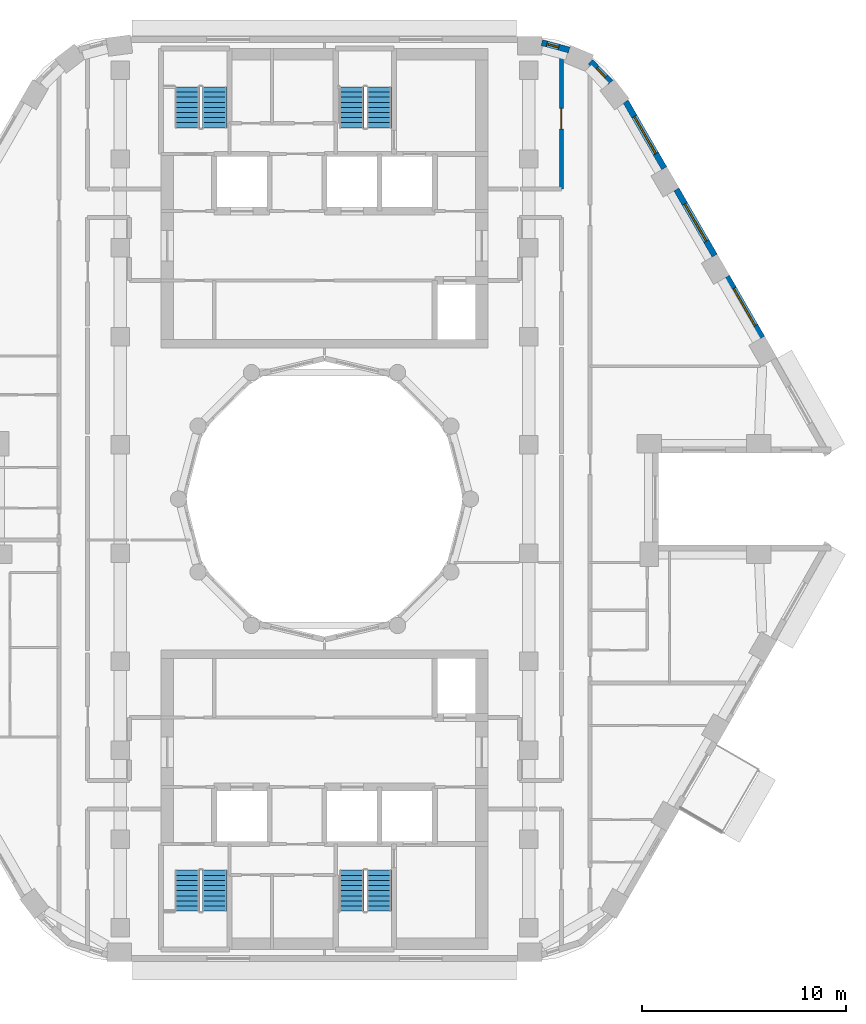
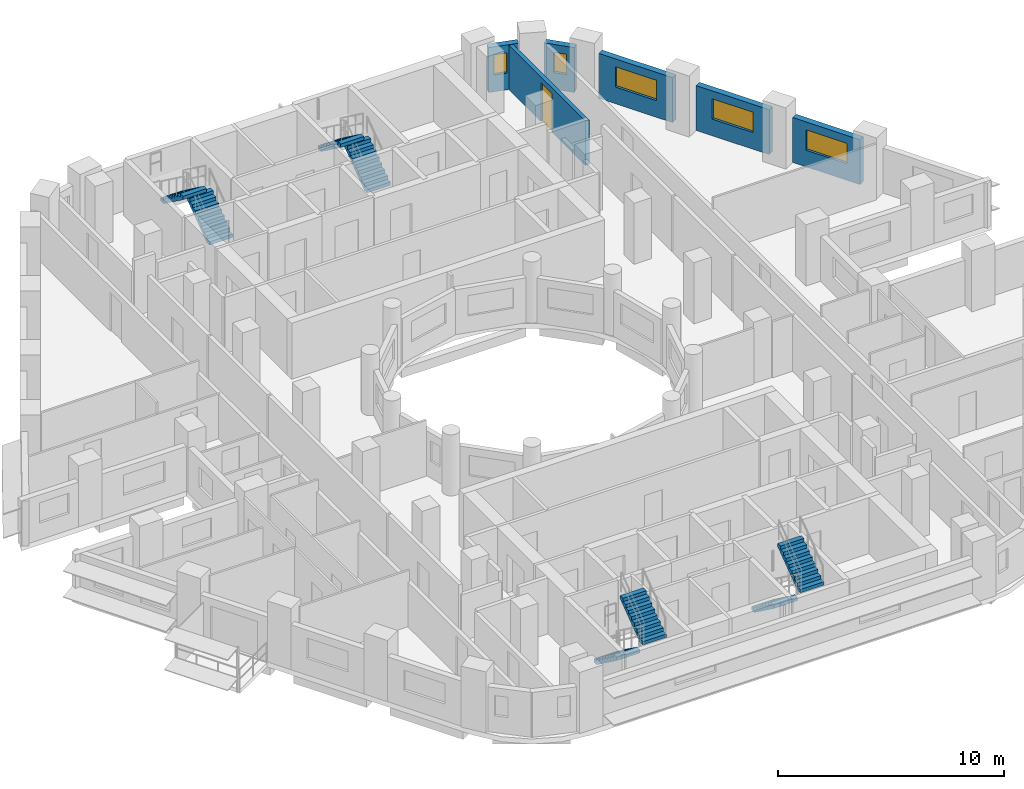
# One storey, part 9 of 15: 8 stair flights, 6 walls, 5 windows, 1 door, 6 openings, 4 elements without a shape of their own.
"""IFC4 building model written with IfcOpenShell, lengths in metres."""

from ifc_helpers import new_model, si_unit, direction, frame, frame_2d, origin, place, context, subcontext, project, spatial, polyline, rectangle, outline, extrude, material, layer, layer_set, type_object, element, fill, aggregate, save


model = new_model("IFC4")

# Units and contexts
model_context = context("Model", 3, precision=1e-05, world=origin(), true_north=direction((0.0, 1.0)))
body_context = subcontext(model_context, "Body", "Model", "MODEL_VIEW")
ifc_project = project(units=[si_unit("LENGTHUNIT", "METRE"), si_unit("AREAUNIT", "SQUARE_METRE"), si_unit("VOLUMEUNIT", "CUBIC_METRE"), si_unit("PLANEANGLEUNIT", "RADIAN"), si_unit("MASSUNIT", "GRAM", prefix="KILO")], contexts=[model_context])

# Site, building, storey
site_placement = place(None, origin())
site = spatial("IfcSite", under=ifc_project, at=site_placement, CompositionType="ELEMENT")
building_placement = place(site_placement, origin())
building = spatial("IfcBuilding", under=site, at=building_placement, Name="Nakaniwa Court", CompositionType="ELEMENT")
storey_placement = place(building_placement, frame((0.0, 0.0, 213.0)))
storey = spatial("IfcBuildingStorey", under=building, at=storey_placement, Name="L56", CompositionType="ELEMENT", Elevation=213.0)

# Wall, opening, door
ifc_material_1 = material(Name="Acoustic double stud partition")
ifc_layer_1 = layer(ifc_material_1, 0.199951171875)
ifc_layer_set_1 = layer_set([ifc_layer_1], Name="Acoustic double stud partition")
wall_type_1 = type_object("IfcWallType", Name="Acoustic double stud partition 200", PredefinedType="PARTITIONING", material=ifc_layer_set_1)
wall_1_placement = place(storey_placement, frame((91.60009765625, 95.175048828125, 0.0), z_axis=(0.0, 0.0, 1.0), x_axis=(0.0, 1.0, 0.0)))
wall_1 = element("IfcWall", 1, at=wall_1_placement, inside=storey, type_object=wall_type_1, Name="Partition PW-070", PredefinedType="PARTITIONING", context=body_context, shape_type="SweptSolid", body=[
    extrude(rectangle(XDim=6.898681640625, YDim=0.199951171875, at=frame_2d((3.44921875, 0.0))), origin(), (0.0, 0.0, 1.0), 2.405029296875),
])
opening_1_placement = place(wall_1_placement, frame((2.949951171875, 0.0, 0.0)))
opening_1 = element("IfcOpeningElement", 2, at=opening_1_placement, cuts=wall_1, Name="Opening D-02-09", PredefinedType="OPENING", context=body_context, shape_type="SweptSolid", body=[
    extrude(rectangle(XDim=1.0, YDim=2.10009765625, at=frame_2d((0.5, 1.050048828125))), frame((0.0, 0.10986328125, 0.0), z_axis=(0.0, -1.0, 0.0), x_axis=(1.0, 0.0, 0.0)), (0.0, 0.0, 1.0), 0.219970703125),
])
ifc_material_2 = material(Name="Solid core timber door set, black veneer", Category="wood")
door_type = type_object("IfcDoorType", Name="Internal door 1000", OperationType="NOTDEFINED", PredefinedType="DOOR", material=ifc_material_2)
door_placement = place(opening_1_placement, origin())
door = element("IfcDoor", 3, at=door_placement, inside=storey, type_object=door_type, Name="Door D-02-09 L56-048", OperationType="SINGLE_SWING_LEFT", OverallHeight=2.10009765625, OverallWidth=1.0, PredefinedType="DOOR", context=body_context, shape_type="SweptSolid", body=[
    extrude(rectangle(XDim=1.0, YDim=2.10009765625, at=frame_2d((0.5, 1.050048828125))), frame((0.0, 0.02490234375, 0.0), z_axis=(0.0, -1.0, 0.0), x_axis=(1.0, 0.0, 0.0)), (0.0, 0.0, 1.0), 0.050048828125),
])
fill(opening_1, door)

# Wall, opening, window
ifc_material_3 = material(Name="Charcoal ceramic cladding")
ifc_layer_2 = layer(ifc_material_3, 0.02, Name="Ceramic cladding")
ifc_material_4 = material(Name="Ventilated air cavity")
ifc_layer_3 = layer(ifc_material_4, 0.04, ventilated=True, Name="Ventilated cavity")
ifc_material_5 = material(Name="Mineral wool insulation")
ifc_layer_4 = layer(ifc_material_5, 0.1, Name="Insulation")
ifc_material_6 = material(Name="Cement bonded sheathing board")
ifc_layer_5 = layer(ifc_material_6, 0.012, Name="Sheathing")
ifc_material_7 = material(Name="Cold-formed galvanised stud frame with mineral wool infill")
ifc_layer_6 = layer(ifc_material_7, 0.1, Name="Stud frame")
ifc_material_8 = material(Name="Fire-rated gypsum plasterboard lining")
ifc_layer_7 = layer(ifc_material_8, 0.028, Name="Lining")
ifc_layer_set_2 = layer_set([ifc_layer_2, ifc_layer_3, ifc_layer_4, ifc_layer_5, ifc_layer_6, ifc_layer_7], Name="Charcoal ceramic faced external wall system")
wall_type_2 = type_object("IfcWallType", Name="Black ceramic faced external wall 300", PredefinedType="SOLIDWALL", material=ifc_layer_set_2)
wall_2_placement = place(storey_placement, frame((101.420654296875, 87.898193359375, 0.0), z_axis=(0.0, 0.0, 1.0), x_axis=(-0.499955427682, 0.866051136095, 0.0)))
wall_2 = element("IfcWall", 4, at=wall_2_placement, inside=storey, type_object=wall_type_2, Name="L56 external wall 03", PredefinedType="SOLIDWALL", context=body_context, shape_type="SweptSolid", body=[
    extrude(rectangle(XDim=3.447021484375, YDim=0.300048828125, at=frame_2d((1.7236328125, 0.0))), origin(), (0.0, 0.0, 1.0), 2.425048828125),
])
opening_2_placement = place(wall_2_placement, frame((0.673583984375, 0.0, 0.89990234375)))
opening_2 = element("IfcOpeningElement", 5, at=opening_2_placement, cuts=wall_2, Name="Opening W7.04", PredefinedType="OPENING", context=body_context, shape_type="SweptSolid", body=[
    extrude(rectangle(XDim=2.10009765625, YDim=1.10009765625, at=frame_2d((1.050048828125, 0.550048828125))), frame((0.0, 0.159912109375, 0.0), z_axis=(0.0, -1.0, 0.0), x_axis=(1.0, 0.0, 0.0)), (0.0, 0.0, 1.0), 0.320068359375),
])
ifc_material_9 = material(Name="Black anodised aluminium frame with dark low-E laminated double glazing", Category="aluminium")
window_type_1 = type_object("IfcWindowType", Name="Dark glass window 2100x1100 sill 900", PartitioningType="SINGLE_PANEL", PredefinedType="WINDOW", material=ifc_material_9)
window_1_placement = place(opening_2_placement, origin())
window_1 = element("IfcWindow", 6, at=window_1_placement, inside=storey, type_object=window_type_1, Name="L56 habitable room window 03-0", OverallHeight=1.10009765625, OverallWidth=2.10009765625, PartitioningType="SINGLE_PANEL", PredefinedType="WINDOW", context=body_context, shape_type="SweptSolid", body=[
    extrude(rectangle(XDim=2.10009765625, YDim=1.10009765625, at=frame_2d((1.050048828125, 0.550048828125))), frame((0.0, 0.030029296875, 0.0), z_axis=(0.0, -1.0, 0.0), x_axis=(1.0, 0.0, 0.0)), (0.0, 0.0, 1.0), 0.06005859375),
])
fill(opening_2, window_1)

wall_3_placement = place(storey_placement, frame((99.101318359375, 91.916015625, 0.0), z_axis=(0.0, 0.0, 1.0), x_axis=(-0.500059225181, 0.86599120741, 0.0)))
wall_3 = element("IfcWall", 7, at=wall_3_placement, inside=storey, type_object=wall_type_2, Name="L56 external wall 04", PredefinedType="SOLIDWALL", context=body_context, shape_type="SweptSolid", body=[
    extrude(rectangle(XDim=3.744140625, YDim=0.300048828125, at=frame_2d((1.8720703125, 0.0))), origin(), (0.0, 0.0, 1.0), 2.425048828125),
])
opening_3_placement = place(wall_3_placement, frame((0.822265625, 0.0, 0.89990234375)))
opening_3 = element("IfcOpeningElement", 8, at=opening_3_placement, cuts=wall_3, Name="Opening W7.05", PredefinedType="OPENING", context=body_context, shape_type="SweptSolid", body=[
    extrude(rectangle(XDim=2.10009765625, YDim=1.10009765625, at=frame_2d((1.050048828125, 0.550048828125))), frame((0.0, 0.159912109375, 0.0), z_axis=(0.0, -1.0, 0.0), x_axis=(1.0, 0.0, 0.0)), (0.0, 0.0, 1.0), 0.320068359375),
])
window_2_placement = place(opening_3_placement, origin())
window_2 = element("IfcWindow", 9, at=window_2_placement, inside=storey, type_object=window_type_1, Name="L56 habitable room window 04-0", OverallHeight=1.10009765625, OverallWidth=2.10009765625, PartitioningType="SINGLE_PANEL", PredefinedType="WINDOW", context=body_context, shape_type="SweptSolid", body=[
    extrude(rectangle(XDim=2.10009765625, YDim=1.10009765625, at=frame_2d((1.050048828125, 0.550048828125))), frame((0.0, 0.030029296875, 0.0), z_axis=(0.0, -1.0, 0.0), x_axis=(1.0, 0.0, 0.0)), (0.0, 0.0, 1.0), 0.06005859375),
])
fill(opening_3, window_2)

wall_4_placement = place(storey_placement, frame((96.633056640625, 96.190673828125, 0.0), z_axis=(0.0, 0.0, 1.0), x_axis=(-0.499961087031, 0.866047869032, 0.0)))
wall_4 = element("IfcWall", 10, at=wall_4_placement, inside=storey, type_object=wall_type_2, Name="L56 external wall 05", PredefinedType="SOLIDWALL", context=body_context, shape_type="SweptSolid", body=[
    extrude(rectangle(XDim=3.778564453125, YDim=0.300048828125, at=frame_2d((1.88916015625, 0.0))), origin(), (0.0, 0.0, 1.0), 2.425048828125),
])
opening_4_placement = place(wall_4_placement, frame((0.827880859375, 0.0, 0.89990234375)))
opening_4 = element("IfcOpeningElement", 11, at=opening_4_placement, cuts=wall_4, Name="Opening W7.06", PredefinedType="OPENING", context=body_context, shape_type="SweptSolid", body=[
    extrude(rectangle(XDim=2.10009765625, YDim=1.10009765625, at=frame_2d((1.050048828125, 0.550048828125))), frame((0.0, 0.159912109375, 0.0), z_axis=(0.0, -1.0, 0.0), x_axis=(1.0, 0.0, 0.0)), (0.0, 0.0, 1.0), 0.320068359375),
])
window_3_placement = place(opening_4_placement, origin())
window_3 = element("IfcWindow", 12, at=window_3_placement, inside=storey, type_object=window_type_1, Name="L56 habitable room window 05-0", OverallHeight=1.10009765625, OverallWidth=2.10009765625, PartitioningType="SINGLE_PANEL", PredefinedType="WINDOW", context=body_context, shape_type="SweptSolid", body=[
    extrude(rectangle(XDim=2.10009765625, YDim=1.10009765625, at=frame_2d((1.050048828125, 0.550048828125))), frame((0.0, 0.030029296875, 0.0), z_axis=(0.0, -1.0, 0.0), x_axis=(1.0, 0.0, 0.0)), (0.0, 0.0, 1.0), 0.06005859375),
])
fill(opening_4, window_3)

wall_5_placement = place(storey_placement, frame((94.009033203125, 100.40185546875, 0.0), z_axis=(0.0, 0.0, 1.0), x_axis=(-0.69817596362, 0.715926199984, 0.0)))
wall_5 = element("IfcWall", 13, at=wall_5_placement, inside=storey, type_object=wall_type_2, Name="L56 external wall 06", PredefinedType="SOLIDWALL", context=body_context, shape_type="SweptSolid", body=[
    extrude(rectangle(XDim=1.40283203125, YDim=0.300048828125, at=frame_2d((0.701416015625, 0.0))), origin(), (0.0, 0.0, 1.0), 2.425048828125),
])
opening_5_placement = place(wall_5_placement, frame((0.35986328125, 0.0, 0.89990234375)))
opening_5 = element("IfcOpeningElement", 14, at=opening_5_placement, cuts=wall_5, Name="Opening W8.07", PredefinedType="OPENING", context=body_context, shape_type="SweptSolid", body=[
    extrude(rectangle(XDim=0.60009765625, YDim=1.10009765625, at=frame_2d((0.300048828125, 0.550048828125))), frame((0.0, 0.159912109375, 0.0), z_axis=(0.0, -1.0, 0.0), x_axis=(1.0, 0.0, 0.0)), (0.0, 0.0, 1.0), 0.320068359375),
])
window_type_2 = type_object("IfcWindowType", Name="Dark glass window 600x1100 sill 900", PartitioningType="SINGLE_PANEL", PredefinedType="WINDOW", material=ifc_material_9)
window_4_placement = place(opening_5_placement, origin())
window_4 = element("IfcWindow", 15, at=window_4_placement, inside=storey, type_object=window_type_2, Name="L56 habitable room window 06-0", OverallHeight=1.10009765625, OverallWidth=0.60009765625, PartitioningType="SINGLE_PANEL", PredefinedType="WINDOW", context=body_context, shape_type="SweptSolid", body=[
    extrude(rectangle(XDim=0.60009765625, YDim=1.10009765625, at=frame_2d((0.300048828125, 0.550048828125))), frame((0.0, 0.030029296875, 0.0), z_axis=(0.0, -1.0, 0.0), x_axis=(1.0, 0.0, 0.0)), (0.0, 0.0, 1.0), 0.06005859375),
])
fill(opening_5, window_4)

wall_6_placement = place(storey_placement, frame((91.977294921875, 101.981201171875, 0.0), z_axis=(0.0, 0.0, 1.0), x_axis=(-0.965315341278, 0.261086751661, 0.0)))
wall_6 = element("IfcWall", 16, at=wall_6_placement, inside=storey, type_object=wall_type_2, Name="L56 external wall 07", PredefinedType="SOLIDWALL", context=body_context, shape_type="SweptSolid", body=[
    extrude(rectangle(XDim=1.384033203125, YDim=0.300048828125, at=frame_2d((0.69189453125, 0.0))), origin(), (0.0, 0.0, 1.0), 2.425048828125),
])
opening_6_placement = place(wall_6_placement, frame((0.529296875, 0.0, 0.89990234375)))
opening_6 = element("IfcOpeningElement", 17, at=opening_6_placement, cuts=wall_6, Name="Opening W8.08", PredefinedType="OPENING", context=body_context, shape_type="SweptSolid", body=[
    extrude(rectangle(XDim=0.60009765625, YDim=1.10009765625, at=frame_2d((0.300048828125, 0.550048828125))), frame((0.0, 0.159912109375, 0.0), z_axis=(0.0, -1.0, 0.0), x_axis=(1.0, 0.0, 0.0)), (0.0, 0.0, 1.0), 0.320068359375),
])
window_5_placement = place(opening_6_placement, origin())
window_5 = element("IfcWindow", 18, at=window_5_placement, inside=storey, type_object=window_type_2, Name="L56 habitable room window 07-1", OverallHeight=1.10009765625, OverallWidth=0.60009765625, PartitioningType="SINGLE_PANEL", PredefinedType="WINDOW", context=body_context, shape_type="SweptSolid", body=[
    extrude(rectangle(XDim=0.60009765625, YDim=1.10009765625, at=frame_2d((0.300048828125, 0.550048828125))), frame((0.0, 0.030029296875, 0.0), z_axis=(0.0, -1.0, 0.0), x_axis=(1.0, 0.0, 0.0)), (0.0, 0.0, 1.0), 0.06005859375),
])
fill(opening_6, window_5)

# Stair, stair flights
ifc_material_10 = material(Name="Concrete C80/100", Category="concrete")
stair_type = type_object("IfcStairType", Name="Dog leg stair 1200 wide 18 risers", PredefinedType="HALF_TURN_STAIR", material=ifc_material_10)
stair_1_placement = place(storey_placement, origin())
stair_1 = element("IfcStair", 19, at=stair_1_placement, inside=storey, type_object=stair_type, Name="L56 Stair ST1", PredefinedType="HALF_TURN_STAIR")
stair_flight_type = type_object("IfcStairFlightType", Name="Stair flight 1200 wide 9 risers", PredefinedType="STRAIGHT", material=ifc_material_10)
stair_flight_1_placement = place(storey_placement, frame((74.625, 98.175048828125, 0.0), z_axis=(0.0, 0.0, 1.0), x_axis=(0.0, 1.0, 0.0)))
stair_flight_1 = element("IfcStairFlight", 20, at=stair_flight_1_placement, type_object=stair_flight_type, Name="ST1 flight 1", NumberOfRisers=9, NumberOfTreads=8, PredefinedType="STRAIGHT", RiserHeight=0.183333333, TreadLength=0.25, context=body_context, shape_type="SweptSolid", body=[
    extrude(outline(polyline([(0.0, 0.0), (0.0, 0.026123046875), (0.0, 0.052490234375), (0.0, 0.07861328125), (0.0, 0.104736328125), (0.0, 0.130859375), (0.0, 0.1572265625), (0.0, 0.183349609375), (0.25, 0.183349609375), (0.25, 0.36669921875), (0.5, 0.36669921875), (0.5, 0.550048828125), (0.75, 0.550048828125), (0.75, 0.7333984375), (1.0, 0.7333984375), (1.0, 0.916748046875), (1.25, 0.916748046875), (1.25, 1.10009765625), (1.5, 1.10009765625), (1.5, 1.283447265625), (1.75, 1.283447265625), (1.75, 1.466552734375), (2.0, 1.466552734375), (2.0, 1.64990234375), (2.0, 1.59716796875), (2.0, 1.54443359375), (2.0, 1.49169921875), (2.0, 1.43896484375), (2.0, 1.38623046875), (2.0, 1.33349609375), (2.0, 1.28076171875), (0.25341796875, 0.0), (0.0, 0.0)])), frame((0.0, 0.60009765625, 0.0), z_axis=(0.0, -1.0, 0.0), x_axis=(1.0, 0.0, 0.0)), (0.0, 0.0, 1.0), 1.199951171875),
])
stair_flight_2_placement = place(storey_placement, frame((73.27490234375, 100.175048828125, 1.64990234375), z_axis=(0.0, 0.0, 1.0), x_axis=(0.0, -1.0, 0.0)))
stair_flight_2 = element("IfcStairFlight", 21, at=stair_flight_2_placement, type_object=stair_flight_type, Name="ST1 flight 2", NumberOfRisers=9, NumberOfTreads=8, PredefinedType="STRAIGHT", RiserHeight=0.183333333, TreadLength=0.25, context=body_context, shape_type="SweptSolid", body=[
    extrude(outline(polyline([(0.0, 0.0), (0.0, 0.026123046875), (0.0, 0.052490234375), (0.0, 0.07861328125), (0.0, 0.104736328125), (0.0, 0.130859375), (0.0, 0.1572265625), (0.0, 0.183349609375), (0.25, 0.183349609375), (0.25, 0.36669921875), (0.5, 0.36669921875), (0.5, 0.550048828125), (0.75, 0.550048828125), (0.75, 0.7333984375), (1.0, 0.7333984375), (1.0, 0.916748046875), (1.25, 0.916748046875), (1.25, 1.10009765625), (1.5, 1.10009765625), (1.5, 1.283447265625), (1.75, 1.283447265625), (1.75, 1.466552734375), (2.0, 1.466552734375), (2.0, 1.64990234375), (2.0, 1.59716796875), (2.0, 1.54443359375), (2.0, 1.49169921875), (2.0, 1.43896484375), (2.0, 1.38623046875), (2.0, 1.33349609375), (2.0, 1.28076171875), (0.25341796875, 0.0), (0.0, 0.0)])), frame((0.0, 0.60009765625, 0.0), z_axis=(0.0, -1.0, 0.0), x_axis=(1.0, 0.0, 0.0)), (0.0, 0.0, 1.0), 1.199951171875),
])
aggregate(stair_1, [stair_flight_1, stair_flight_2])

stair_2_placement = place(storey_placement, origin())
stair_2 = element("IfcStair", 22, at=stair_2_placement, inside=storey, type_object=stair_type, Name="L56 Stair ST2", PredefinedType="HALF_TURN_STAIR")
stair_flight_3_placement = place(storey_placement, frame((82.675048828125, 98.175048828125, 0.0), z_axis=(0.0, 0.0, 1.0), x_axis=(0.0, 1.0, 0.0)))
stair_flight_3 = element("IfcStairFlight", 23, at=stair_flight_3_placement, type_object=stair_flight_type, Name="ST2 flight 1", NumberOfRisers=9, NumberOfTreads=8, PredefinedType="STRAIGHT", RiserHeight=0.183333333, TreadLength=0.25, context=body_context, shape_type="SweptSolid", body=[
    extrude(outline(polyline([(0.0, 0.0), (0.0, 0.026123046875), (0.0, 0.052490234375), (0.0, 0.07861328125), (0.0, 0.104736328125), (0.0, 0.130859375), (0.0, 0.1572265625), (0.0, 0.183349609375), (0.25, 0.183349609375), (0.25, 0.36669921875), (0.5, 0.36669921875), (0.5, 0.550048828125), (0.75, 0.550048828125), (0.75, 0.7333984375), (1.0, 0.7333984375), (1.0, 0.916748046875), (1.25, 0.916748046875), (1.25, 1.10009765625), (1.5, 1.10009765625), (1.5, 1.283447265625), (1.75, 1.283447265625), (1.75, 1.466552734375), (2.0, 1.466552734375), (2.0, 1.64990234375), (2.0, 1.59716796875), (2.0, 1.54443359375), (2.0, 1.49169921875), (2.0, 1.43896484375), (2.0, 1.38623046875), (2.0, 1.33349609375), (2.0, 1.28076171875), (0.25341796875, 0.0), (0.0, 0.0)])), frame((0.0, 0.60009765625, 0.0), z_axis=(0.0, -1.0, 0.0), x_axis=(1.0, 0.0, 0.0)), (0.0, 0.0, 1.0), 1.199951171875),
])
stair_flight_4_placement = place(storey_placement, frame((81.324951171875, 100.175048828125, 1.64990234375), z_axis=(0.0, 0.0, 1.0), x_axis=(0.0, -1.0, 0.0)))
stair_flight_4 = element("IfcStairFlight", 24, at=stair_flight_4_placement, type_object=stair_flight_type, Name="ST2 flight 2", NumberOfRisers=9, NumberOfTreads=8, PredefinedType="STRAIGHT", RiserHeight=0.183333333, TreadLength=0.25, context=body_context, shape_type="SweptSolid", body=[
    extrude(outline(polyline([(0.0, 0.0), (0.0, 0.026123046875), (0.0, 0.052490234375), (0.0, 0.07861328125), (0.0, 0.104736328125), (0.0, 0.130859375), (0.0, 0.1572265625), (0.0, 0.183349609375), (0.25, 0.183349609375), (0.25, 0.36669921875), (0.5, 0.36669921875), (0.5, 0.550048828125), (0.75, 0.550048828125), (0.75, 0.7333984375), (1.0, 0.7333984375), (1.0, 0.916748046875), (1.25, 0.916748046875), (1.25, 1.10009765625), (1.5, 1.10009765625), (1.5, 1.283447265625), (1.75, 1.283447265625), (1.75, 1.466552734375), (2.0, 1.466552734375), (2.0, 1.64990234375), (2.0, 1.59716796875), (2.0, 1.54443359375), (2.0, 1.49169921875), (2.0, 1.43896484375), (2.0, 1.38623046875), (2.0, 1.33349609375), (2.0, 1.28076171875), (0.25341796875, 0.0), (0.0, 0.0)])), frame((0.0, 0.60009765625, 0.0), z_axis=(0.0, -1.0, 0.0), x_axis=(1.0, 0.0, 0.0)), (0.0, 0.0, 1.0), 1.199951171875),
])
aggregate(stair_2, [stair_flight_3, stair_flight_4])

stair_3_placement = place(storey_placement, origin())
stair_3 = element("IfcStair", 25, at=stair_3_placement, inside=storey, type_object=stair_type, Name="L56 Stair ST3", PredefinedType="HALF_TURN_STAIR")
stair_flight_5_placement = place(storey_placement, frame((73.27490234375, 61.824951171875, 0.0), z_axis=(0.0, 0.0, 1.0), x_axis=(0.0, -1.0, 0.0)))
stair_flight_5 = element("IfcStairFlight", 26, at=stair_flight_5_placement, type_object=stair_flight_type, Name="ST3 flight 1", NumberOfRisers=9, NumberOfTreads=8, PredefinedType="STRAIGHT", RiserHeight=0.183333333, TreadLength=0.25, context=body_context, shape_type="SweptSolid", body=[
    extrude(outline(polyline([(0.0, 0.0), (0.0, 0.026123046875), (0.0, 0.052490234375), (0.0, 0.07861328125), (0.0, 0.104736328125), (0.0, 0.130859375), (0.0, 0.1572265625), (0.0, 0.183349609375), (0.25, 0.183349609375), (0.25, 0.36669921875), (0.5, 0.36669921875), (0.5, 0.550048828125), (0.75, 0.550048828125), (0.75, 0.7333984375), (1.0, 0.7333984375), (1.0, 0.916748046875), (1.25, 0.916748046875), (1.25, 1.10009765625), (1.5, 1.10009765625), (1.5, 1.283447265625), (1.75, 1.283447265625), (1.75, 1.466552734375), (2.0, 1.466552734375), (2.0, 1.64990234375), (2.0, 1.59716796875), (2.0, 1.54443359375), (2.0, 1.49169921875), (2.0, 1.43896484375), (2.0, 1.38623046875), (2.0, 1.33349609375), (2.0, 1.28076171875), (0.25341796875, 0.0), (0.0, 0.0)])), frame((0.0, 0.60009765625, 0.0), z_axis=(0.0, -1.0, 0.0), x_axis=(1.0, 0.0, 0.0)), (0.0, 0.0, 1.0), 1.199951171875),
])
stair_flight_6_placement = place(storey_placement, frame((74.625, 59.824951171875, 1.64990234375), z_axis=(0.0, 0.0, 1.0), x_axis=(0.0, 1.0, 0.0)))
stair_flight_6 = element("IfcStairFlight", 27, at=stair_flight_6_placement, type_object=stair_flight_type, Name="ST3 flight 2", NumberOfRisers=9, NumberOfTreads=8, PredefinedType="STRAIGHT", RiserHeight=0.183333333, TreadLength=0.25, context=body_context, shape_type="SweptSolid", body=[
    extrude(outline(polyline([(0.0, 0.0), (0.0, 0.026123046875), (0.0, 0.052490234375), (0.0, 0.07861328125), (0.0, 0.104736328125), (0.0, 0.130859375), (0.0, 0.1572265625), (0.0, 0.183349609375), (0.25, 0.183349609375), (0.25, 0.36669921875), (0.5, 0.36669921875), (0.5, 0.550048828125), (0.75, 0.550048828125), (0.75, 0.7333984375), (1.0, 0.7333984375), (1.0, 0.916748046875), (1.25, 0.916748046875), (1.25, 1.10009765625), (1.5, 1.10009765625), (1.5, 1.283447265625), (1.75, 1.283447265625), (1.75, 1.466552734375), (2.0, 1.466552734375), (2.0, 1.64990234375), (2.0, 1.59716796875), (2.0, 1.54443359375), (2.0, 1.49169921875), (2.0, 1.43896484375), (2.0, 1.38623046875), (2.0, 1.33349609375), (2.0, 1.28076171875), (0.25341796875, 0.0), (0.0, 0.0)])), frame((0.0, 0.60009765625, 0.0), z_axis=(0.0, -1.0, 0.0), x_axis=(1.0, 0.0, 0.0)), (0.0, 0.0, 1.0), 1.199951171875),
])
aggregate(stair_3, [stair_flight_5, stair_flight_6])

stair_4_placement = place(storey_placement, origin())
stair_4 = element("IfcStair", 28, at=stair_4_placement, inside=storey, type_object=stair_type, Name="L56 Stair ST4", PredefinedType="HALF_TURN_STAIR")
stair_flight_7_placement = place(storey_placement, frame((81.324951171875, 61.824951171875, 0.0), z_axis=(0.0, 0.0, 1.0), x_axis=(0.0, -1.0, 0.0)))
stair_flight_7 = element("IfcStairFlight", 29, at=stair_flight_7_placement, type_object=stair_flight_type, Name="ST4 flight 1", NumberOfRisers=9, NumberOfTreads=8, PredefinedType="STRAIGHT", RiserHeight=0.183333333, TreadLength=0.25, context=body_context, shape_type="SweptSolid", body=[
    extrude(outline(polyline([(0.0, 0.0), (0.0, 0.026123046875), (0.0, 0.052490234375), (0.0, 0.07861328125), (0.0, 0.104736328125), (0.0, 0.130859375), (0.0, 0.1572265625), (0.0, 0.183349609375), (0.25, 0.183349609375), (0.25, 0.36669921875), (0.5, 0.36669921875), (0.5, 0.550048828125), (0.75, 0.550048828125), (0.75, 0.7333984375), (1.0, 0.7333984375), (1.0, 0.916748046875), (1.25, 0.916748046875), (1.25, 1.10009765625), (1.5, 1.10009765625), (1.5, 1.283447265625), (1.75, 1.283447265625), (1.75, 1.466552734375), (2.0, 1.466552734375), (2.0, 1.64990234375), (2.0, 1.59716796875), (2.0, 1.54443359375), (2.0, 1.49169921875), (2.0, 1.43896484375), (2.0, 1.38623046875), (2.0, 1.33349609375), (2.0, 1.28076171875), (0.25341796875, 0.0), (0.0, 0.0)])), frame((0.0, 0.60009765625, 0.0), z_axis=(0.0, -1.0, 0.0), x_axis=(1.0, 0.0, 0.0)), (0.0, 0.0, 1.0), 1.199951171875),
])
stair_flight_8_placement = place(storey_placement, frame((82.675048828125, 59.824951171875, 1.64990234375), z_axis=(0.0, 0.0, 1.0), x_axis=(0.0, 1.0, 0.0)))
stair_flight_8 = element("IfcStairFlight", 30, at=stair_flight_8_placement, type_object=stair_flight_type, Name="ST4 flight 2", NumberOfRisers=9, NumberOfTreads=8, PredefinedType="STRAIGHT", RiserHeight=0.183333333, TreadLength=0.25, context=body_context, shape_type="SweptSolid", body=[
    extrude(outline(polyline([(0.0, 0.0), (0.0, 0.026123046875), (0.0, 0.052490234375), (0.0, 0.07861328125), (0.0, 0.104736328125), (0.0, 0.130859375), (0.0, 0.1572265625), (0.0, 0.183349609375), (0.25, 0.183349609375), (0.25, 0.36669921875), (0.5, 0.36669921875), (0.5, 0.550048828125), (0.75, 0.550048828125), (0.75, 0.7333984375), (1.0, 0.7333984375), (1.0, 0.916748046875), (1.25, 0.916748046875), (1.25, 1.10009765625), (1.5, 1.10009765625), (1.5, 1.283447265625), (1.75, 1.283447265625), (1.75, 1.466552734375), (2.0, 1.466552734375), (2.0, 1.64990234375), (2.0, 1.59716796875), (2.0, 1.54443359375), (2.0, 1.49169921875), (2.0, 1.43896484375), (2.0, 1.38623046875), (2.0, 1.33349609375), (2.0, 1.28076171875), (0.25341796875, 0.0), (0.0, 0.0)])), frame((0.0, 0.60009765625, 0.0), z_axis=(0.0, -1.0, 0.0), x_axis=(1.0, 0.0, 0.0)), (0.0, 0.0, 1.0), 1.199951171875),
])
aggregate(stair_4, [stair_flight_7, stair_flight_8])

save(model, "model.ifc")
